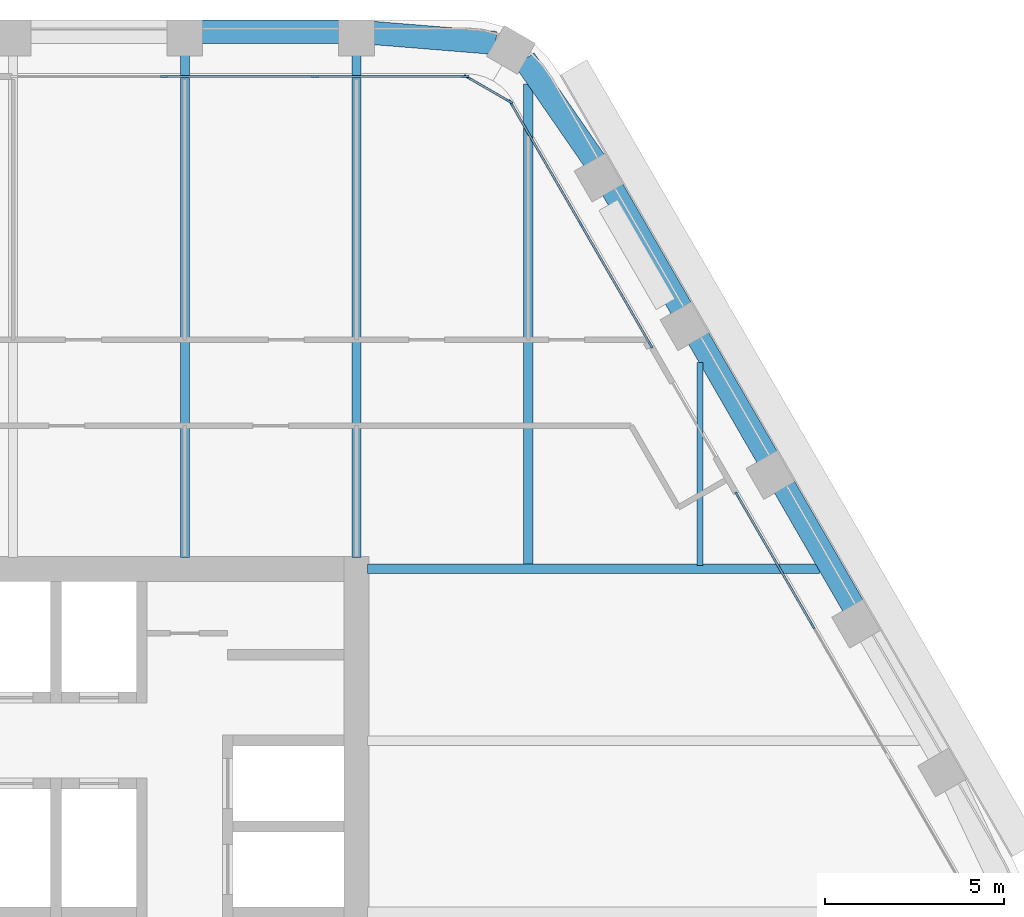
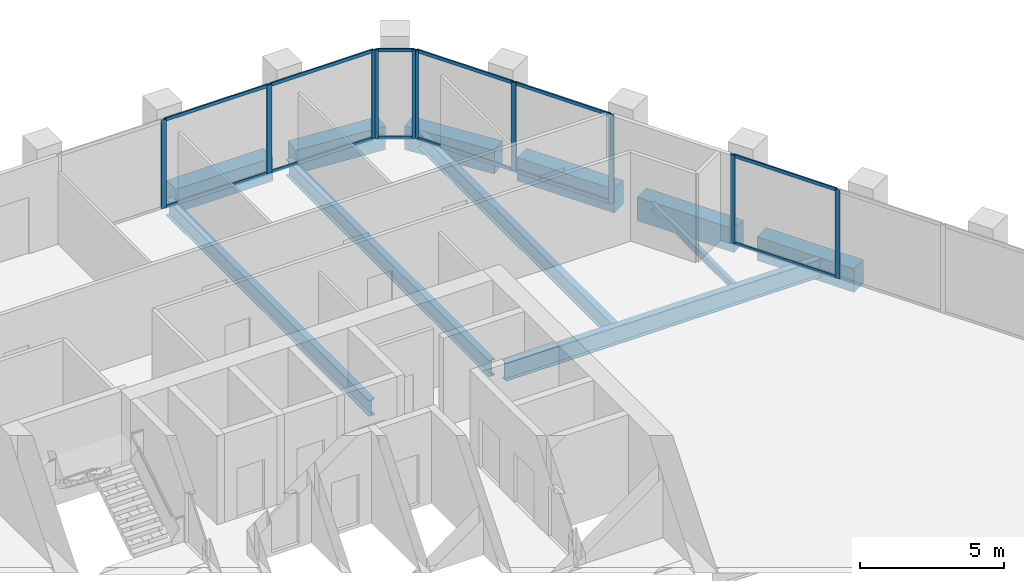
# One storey, part 6 of 15: 22 members, 11 beams, 4 elements without a shape of their own.
"""IFC4 building model written with IfcOpenShell, lengths in metres."""

from ifc_helpers import new_model, si_unit, direction, frame, origin, origin_2d, place, context, subcontext, project, spatial, rectangle, i_section, extrude, material, material_profile, profile_set, type_object, element, aggregate, save


model = new_model("IFC4")

# Units and contexts
model_context = context("Model", 3, precision=1e-05, world=origin(), true_north=direction((0.0, 1.0)))
body_context = subcontext(model_context, "Body", "Model", "MODEL_VIEW")
ifc_project = project(units=[si_unit("LENGTHUNIT", "METRE"), si_unit("AREAUNIT", "SQUARE_METRE"), si_unit("VOLUMEUNIT", "CUBIC_METRE"), si_unit("PLANEANGLEUNIT", "RADIAN"), si_unit("MASSUNIT", "GRAM", prefix="KILO")], contexts=[model_context])

# Site, building, storey
site_placement = place(None, origin())
site = spatial("IfcSite", under=ifc_project, at=site_placement, CompositionType="ELEMENT")
building_placement = place(site_placement, origin())
building = spatial("IfcBuilding", under=site, at=building_placement, Name="Kolab Exchange Tower", CompositionType="ELEMENT")
storey_placement = place(building_placement, frame((0.0, 0.0, 201.199951171875)))
storey = spatial("IfcBuildingStorey", under=building, at=storey_placement, Name="L43", CompositionType="ELEMENT", Elevation=201.199951171875)

# Beams
ifc_material_1 = material(Name="Steel S355", Category="steel")
ifc_material_profile_1 = material_profile(ifc_material_1, i_section(OverallWidth=0.1650390625, OverallDepth=0.31005859375, WebThickness=0.005859375, FlangeThickness=0.009765625, at=origin_2d()), Name="W310X39")
ifc_profile_set_1 = profile_set([ifc_material_profile_1], Name="Steel S355")
beam_type_1 = type_object("IfcBeamType", Name="FLOOR BEAM W310X39", PredefinedType="BEAM", material=ifc_profile_set_1)
beam_1_placement = place(storey_placement, frame((19.199951171875, 9.693603515625, -0.304931640625), z_axis=(0.0, 1.0, 0.0), x_axis=(-1.0, 0.0, 0.0)))
element("IfcBeam", 1, at=beam_1_placement, inside=storey, type_object=beam_type_1, Name="beam/L43/fr/023", PredefinedType="BEAM", context=body_context, shape_type="SweptSolid", body=[
    extrude(i_section(OverallWidth=0.1650390625, OverallDepth=0.31005859375, WebThickness=0.005859375, FlangeThickness=0.009765625, at=origin_2d()), origin(), (0.0, 0.0, 1.0), 5.674072265625),
])
ifc_material_profile_2 = material_profile(ifc_material_1, i_section(OverallWidth=0.25390625, OverallDepth=0.68408203125, WebThickness=0.012451171875, FlangeThickness=0.018798828125, at=origin_2d()), Name="W690X140")
ifc_profile_set_2 = profile_set([ifc_material_profile_2], Name="Steel S355")
beam_type_2 = type_object("IfcBeamType", Name="FLOOR BEAM W690X140", PredefinedType="BEAM", material=ifc_profile_set_2)
for number, where, z_axis, x_axis, name in (
    (2, (4.800048828125, 9.909912109375, -0.491943359375), (0.0, 1.0, 0.0), (-1.0, 0.0, 0.0), "beam/L43/fr/014"),
    (3, (9.60009765625, 9.909912109375, -0.491943359375), (0.0, 1.0, 0.0), (-1.0, 0.0, 0.0), "beam/L43/fr/016"),
):
    element("IfcBeam", number, at=place(storey_placement, frame(where, z_axis=z_axis, x_axis=x_axis)), inside=storey, type_object=beam_type_2, Name=name, PredefinedType="BEAM", context=body_context, shape_type="SweptSolid", body=[
        extrude(i_section(OverallWidth=0.25390625, OverallDepth=0.68408203125, WebThickness=0.012451171875, FlangeThickness=0.018798828125, at=origin_2d()), origin(), (0.0, 0.0, 1.0), 14.071533203125),
    ])
beam_2_placement = place(storey_placement, frame((14.39990234375, 9.693603515625, -0.491943359375), z_axis=(0.0, 1.0, 0.0), x_axis=(-1.0, 0.0, 0.0)))
element("IfcBeam", 4, at=beam_2_placement, inside=storey, type_object=beam_type_2, Name="beam/L43/fr/021", PredefinedType="BEAM", context=body_context, shape_type="SweptSolid", body=[
    extrude(i_section(OverallWidth=0.25390625, OverallDepth=0.68408203125, WebThickness=0.012451171875, FlangeThickness=0.018798828125, at=origin_2d()), origin(), (0.0, 0.0, 1.0), 13.462158203125),
])
ifc_material_profile_3 = material_profile(ifc_material_1, i_section(OverallWidth=0.26708984375, OverallDepth=0.761962890625, WebThickness=0.014404296875, FlangeThickness=0.021484375, at=origin_2d()), Name="W760X173")
ifc_profile_set_3 = profile_set([ifc_material_profile_3], Name="Steel S355")
beam_type_3 = type_object("IfcBeamType", Name="FLOOR GIRDER W760X173", PredefinedType="BEAM", material=ifc_profile_set_3)
beam_3_placement = place(storey_placement, frame((9.909912109375, 9.60009765625, -0.531005859375), z_axis=(1.0, 0.0, 0.0), x_axis=(0.0, 1.0, 0.0)))
element("IfcBeam", 5, at=beam_3_placement, inside=storey, type_object=beam_type_3, Name="beam/L43/gd/003", PredefinedType="BEAM", context=body_context, shape_type="SweptSolid", body=[
    extrude(i_section(OverallWidth=0.26708984375, OverallDepth=0.761962890625, WebThickness=0.014404296875, FlangeThickness=0.021484375, at=origin_2d()), origin(), (0.0, 0.0, 1.0), 12.636962890625),
])
ifc_material_2 = material(Name="Concrete C60/75", Category="concrete")
ifc_material_profile_4 = material_profile(ifc_material_2, rectangle(XDim=0.64990234375, YDim=1.0, at=origin_2d()), Name="RC650X1000")
ifc_profile_set_4 = profile_set([ifc_material_profile_4], Name="Concrete C60/75")
beam_type_4 = type_object("IfcBeamType", Name="SPANDREL BEAM 650X1000 C60/75", PredefinedType="BEAM", material=ifc_profile_set_4)
beam_4_placement = place(storey_placement, frame((5.260009765625, 24.616455078125, -0.64990234375), z_axis=(1.0, 0.0, 0.0), x_axis=(0.0, 1.0, 0.0)))
element("IfcBeam", 6, at=beam_4_placement, inside=storey, type_object=beam_type_4, Name="beam/L43/sp/F1-05", PredefinedType="BEAM", context=body_context, shape_type="SweptSolid", body=[
    extrude(rectangle(XDim=0.64990234375, YDim=1.0, at=origin_2d()), origin(), (0.0, 0.0, 1.0), 3.8798828125),
])
for number, where, z_axis, x_axis, name in (
    (7, (10.06005859375, 24.5791015625, -0.64990234375), (0.996708497182, -0.081068931445, 0.0), (0.081068931445, 0.996708497182, 0.0), "beam/L43/sp/F1-06"),
    (8, (14.29736328125, 23.8359375, -0.64990234375), (0.568572281073, -0.822633309073, 0.0), (0.822633309073, 0.568572281073, 0.0), "beam/L43/sp/F2-01"),
):
    element("IfcBeam", number, at=place(storey_placement, frame(where, z_axis=z_axis, x_axis=x_axis)), inside=storey, type_object=beam_type_4, Name=name, PredefinedType="BEAM", context=body_context, shape_type="SweptSolid", body=[
        extrude(rectangle(XDim=0.64990234375, YDim=1.0, at=origin_2d()), origin(), (0.0, 0.0, 1.0), 3.445068359375),
    ])
beam_5_placement = place(storey_placement, frame((16.74853515625, 20.2236328125, -0.64990234375), z_axis=(0.499996613652, -0.866027358884, 0.0), x_axis=(0.866027358884, 0.499996613652, 0.0)))
element("IfcBeam", 9, at=beam_5_placement, inside=storey, type_object=beam_type_4, Name="beam/L43/sp/F2-02", PredefinedType="BEAM", context=body_context, shape_type="SweptSolid", body=[
    extrude(rectangle(XDim=0.64990234375, YDim=1.0, at=origin_2d()), origin(), (0.0, 0.0, 1.0), 3.8798828125),
])
beam_6_placement = place(storey_placement, frame((19.1484375, 16.06689453125, -0.64990234375), z_axis=(0.50001655835, -0.866015843605, 0.0), x_axis=(0.866015843605, 0.50001655835, 0.0)))
element("IfcBeam", 10, at=beam_6_placement, inside=storey, type_object=beam_type_4, Name="beam/L43/sp/F2-03", PredefinedType="BEAM", context=body_context, shape_type="SweptSolid", body=[
    extrude(rectangle(XDim=0.64990234375, YDim=1.0, at=origin_2d()), origin(), (0.0, 0.0, 1.0), 3.880126953125),
])
beam_7_placement = place(storey_placement, frame((21.548583984375, 11.909912109375, -0.64990234375), z_axis=(0.499996613652, -0.866027358884, 0.0), x_axis=(0.866027358884, 0.499996613652, 0.0)))
element("IfcBeam", 11, at=beam_7_placement, inside=storey, type_object=beam_type_4, Name="beam/L43/sp/F2-04", PredefinedType="BEAM", context=body_context, shape_type="SweptSolid", body=[
    extrude(rectangle(XDim=0.64990234375, YDim=1.0, at=origin_2d()), origin(), (0.0, 0.0, 1.0), 3.8798828125),
])

# Curtain wall, members
ifc_material_3 = material(Name="Aluminium EN AW-6063 T6", Category="aluminium")
curtain_wall_type = type_object("IfcCurtainWallType", Name="UNITISED UPPER MID ZONE CURTAIN WALL", PredefinedType="NOTDEFINED", material=ifc_material_3)
curtain_wall_1_placement = place(storey_placement, origin())
curtain_wall_1 = element("IfcCurtainWall", 12, at=curtain_wall_1_placement, inside=storey, type_object=curtain_wall_type, Name="cw/L43/F1-2", PredefinedType="NOTDEFINED")
ifc_material_profile_5 = material_profile(ifc_material_3, rectangle(XDim=0.06005859375, YDim=0.199951171875, at=origin_2d()), Name="RECT 60X200")
ifc_profile_set_5 = profile_set([ifc_material_profile_5], Name="Aluminium EN AW-6063 T6")
member_type_1 = type_object("IfcMemberType", Name="UNITISED UPPER MID ZONE MULLION 60 X 200", PredefinedType="MULLION", material=ifc_profile_set_5)
member_1_placement = place(storey_placement, frame((4.22265625, 23.361572265625, 0.0), z_axis=(0.0, 0.0, 1.0), x_axis=(0.0, 1.0, 0.0)))
member_1 = element("IfcMember", 13, at=member_1_placement, type_object=member_type_1, Name="CW3 mullion 2", PredefinedType="MULLION", context=body_context, shape_type="SweptSolid", body=[
    extrude(rectangle(XDim=0.06005859375, YDim=0.199951171875, at=origin_2d()), origin(), (0.0, 0.0, 1.0), 3.75),
])
member_2_placement = place(storey_placement, frame((8.4453125, 23.361572265625, 0.0), z_axis=(0.0, 0.0, 1.0), x_axis=(0.0, 1.0, 0.0)))
member_2 = element("IfcMember", 14, at=member_2_placement, type_object=member_type_1, Name="CW3 mullion 3", PredefinedType="MULLION", context=body_context, shape_type="SweptSolid", body=[
    extrude(rectangle(XDim=0.06005859375, YDim=0.199951171875, at=origin_2d()), origin(), (0.0, 0.0, 1.0), 3.75),
])
member_3_placement = place(storey_placement, frame((12.637939453125, 23.361572265625, 0.0), z_axis=(0.0, 0.0, 1.0), x_axis=(0.0, 1.0, 0.0)))
member_3 = element("IfcMember", 15, at=member_3_placement, type_object=member_type_1, Name="CW3 mullion 4", PredefinedType="MULLION", context=body_context, shape_type="SweptSolid", body=[
    extrude(rectangle(XDim=0.06005859375, YDim=0.199951171875, at=origin_2d()), origin(), (0.0, 0.0, 1.0), 3.75),
])

curtain_wall_2_placement = place(storey_placement, origin())
curtain_wall_2 = element("IfcCurtainWall", 16, at=curtain_wall_2_placement, inside=storey, type_object=curtain_wall_type, Name="cw/L43/F2-1", PredefinedType="NOTDEFINED")
member_4_placement = place(storey_placement, frame((13.91259765625, 22.62548828125, 0.0), z_axis=(0.0, 0.0, 1.0), x_axis=(0.866025385493, 0.500000031681, 0.0)))
member_4 = element("IfcMember", 17, at=member_4_placement, type_object=member_type_1, Name="CW3 mullion 1", PredefinedType="MULLION", context=body_context, shape_type="SweptSolid", body=[
    extrude(rectangle(XDim=0.06005859375, YDim=0.199951171875, at=origin_2d()), origin(), (0.0, 0.0, 1.0), 3.75),
])
member_5_placement = place(storey_placement, frame((15.86474609375, 19.24462890625, 0.0), z_axis=(0.0, 0.0, 1.0), x_axis=(0.866025385493, 0.500000031681, 0.0)))
member_5 = element("IfcMember", 18, at=member_5_placement, type_object=member_type_1, Name="CW3 mullion 2", PredefinedType="MULLION", context=body_context, shape_type="SweptSolid", body=[
    extrude(rectangle(XDim=0.06005859375, YDim=0.199951171875, at=origin_2d()), origin(), (0.0, 0.0, 1.0), 3.75),
])
member_6_placement = place(storey_placement, frame((17.816650390625, 15.86376953125, 0.0), z_axis=(0.0, 0.0, 1.0), x_axis=(0.866025385493, 0.500000031681, 0.0)))
member_6 = element("IfcMember", 19, at=member_6_placement, type_object=member_type_1, Name="CW3 mullion 3", PredefinedType="MULLION", context=body_context, shape_type="SweptSolid", body=[
    extrude(rectangle(XDim=0.06005859375, YDim=0.199951171875, at=origin_2d()), origin(), (0.0, 0.0, 1.0), 3.75),
])

curtain_wall_3_placement = place(storey_placement, origin())
curtain_wall_3 = element("IfcCurtainWall", 20, at=curtain_wall_3_placement, inside=storey, type_object=curtain_wall_type, Name="cw/L43/F2-2", PredefinedType="NOTDEFINED")
member_7_placement = place(storey_placement, frame((20.24658203125, 11.65478515625, 0.0), z_axis=(0.0, 0.0, 1.0), x_axis=(0.866025427826, 0.499999958358, 0.0)))
member_7 = element("IfcMember", 21, at=member_7_placement, type_object=member_type_1, Name="CW3 mullion 1", PredefinedType="MULLION", context=body_context, shape_type="SweptSolid", body=[
    extrude(rectangle(XDim=0.06005859375, YDim=0.199951171875, at=origin_2d()), origin(), (0.0, 0.0, 1.0), 3.75),
])
member_8_placement = place(storey_placement, frame((22.343017578125, 8.02392578125, 0.0), z_axis=(0.0, 0.0, 1.0), x_axis=(0.866025427826, 0.499999958358, 0.0)))
member_8 = element("IfcMember", 22, at=member_8_placement, type_object=member_type_1, Name="CW3 mullion 2", PredefinedType="MULLION", context=body_context, shape_type="SweptSolid", body=[
    extrude(rectangle(XDim=0.06005859375, YDim=0.199951171875, at=origin_2d()), origin(), (0.0, 0.0, 1.0), 3.75),
])

curtain_wall_4_placement = place(storey_placement, origin())
curtain_wall_4 = element("IfcCurtainWall", 23, at=curtain_wall_4_placement, inside=storey, type_object=curtain_wall_type, Name="cw/L43/F1F2-corner", PredefinedType="NOTDEFINED")
member_9_placement = place(storey_placement, frame((12.69384765625, 23.346435546875, 0.0), z_axis=(0.0, 0.0, 1.0), x_axis=(0.50000002237, 0.866025390869, 0.0)))
member_9 = element("IfcMember", 24, at=member_9_placement, type_object=member_type_1, Name="CW3 mullion 1", PredefinedType="MULLION", context=body_context, shape_type="SweptSolid", body=[
    extrude(rectangle(XDim=0.06005859375, YDim=0.199951171875, at=origin_2d()), origin(), (0.0, 0.0, 1.0), 3.75),
])
member_10_placement = place(storey_placement, frame((13.871826171875, 22.66650390625, 0.0), z_axis=(0.0, 0.0, 1.0), x_axis=(0.50000002237, 0.866025390869, 0.0)))
member_10 = element("IfcMember", 25, at=member_10_placement, type_object=member_type_1, Name="CW3 mullion 2", PredefinedType="MULLION", context=body_context, shape_type="SweptSolid", body=[
    extrude(rectangle(XDim=0.06005859375, YDim=0.199951171875, at=origin_2d()), origin(), (0.0, 0.0, 1.0), 3.75),
])

# Member
ifc_material_profile_6 = material_profile(ifc_material_3, rectangle(XDim=0.06005859375, YDim=0.139892578125, at=origin_2d()), Name="RECT 60X140")
ifc_profile_set_6 = profile_set([ifc_material_profile_6], Name="Aluminium EN AW-6063 T6")
member_type_2 = type_object("IfcMemberType", Name="UNITISED UPPER MID ZONE TRANSOM 60 X 140", PredefinedType="USERDEFINED", material=ifc_profile_set_6)
member_11_placement = place(storey_placement, frame((4.252685546875, 23.361572265625, 0.030029296875), z_axis=(1.0, 0.0, 0.0), x_axis=(0.0, 1.0, 0.0)))
member_11 = element("IfcMember", 26, at=member_11_placement, type_object=member_type_2, Name="CW3 transom 2.1", ObjectType="TRANSOM", PredefinedType="USERDEFINED", context=body_context, shape_type="SweptSolid", body=[
    extrude(rectangle(XDim=0.06005859375, YDim=0.139892578125, at=origin_2d()), origin(), (0.0, 0.0, 1.0), 4.16259765625),
])

member_12_placement = place(storey_placement, frame((4.252685546875, 23.361572265625, 3.719970703125), z_axis=(1.0, 0.0, 0.0), x_axis=(0.0, 1.0, 0.0)))
member_12 = element("IfcMember", 27, at=member_12_placement, type_object=member_type_2, Name="CW3 transom 2.2", ObjectType="TRANSOM", PredefinedType="USERDEFINED", context=body_context, shape_type="SweptSolid", body=[
    extrude(rectangle(XDim=0.06005859375, YDim=0.139892578125, at=origin_2d()), origin(), (0.0, 0.0, 1.0), 4.16259765625),
])

member_13_placement = place(storey_placement, frame((8.475341796875, 23.361572265625, 0.030029296875), z_axis=(1.0, 0.0, 0.0), x_axis=(0.0, 1.0, 0.0)))
member_13 = element("IfcMember", 28, at=member_13_placement, type_object=member_type_2, Name="CW3 transom 3.1", ObjectType="TRANSOM", PredefinedType="USERDEFINED", context=body_context, shape_type="SweptSolid", body=[
    extrude(rectangle(XDim=0.06005859375, YDim=0.139892578125, at=origin_2d()), origin(), (0.0, 0.0, 1.0), 4.132568359375),
])

member_14_placement = place(storey_placement, frame((8.475341796875, 23.361572265625, 3.719970703125), z_axis=(1.0, 0.0, 0.0), x_axis=(0.0, 1.0, 0.0)))
member_14 = element("IfcMember", 29, at=member_14_placement, type_object=member_type_2, Name="CW3 transom 3.2", ObjectType="TRANSOM", PredefinedType="USERDEFINED", context=body_context, shape_type="SweptSolid", body=[
    extrude(rectangle(XDim=0.06005859375, YDim=0.139892578125, at=origin_2d()), origin(), (0.0, 0.0, 1.0), 4.132568359375),
])

aggregate(curtain_wall_1, [member_1, member_2, member_3, member_11, member_12, member_13, member_14])

member_15_placement = place(storey_placement, frame((13.927734375, 22.599609375, 0.030029296875), z_axis=(0.499964356602, -0.866045981532, 0.0), x_axis=(0.866045981532, 0.499964356602, 0.0)))
member_15 = element("IfcMember", 30, at=member_15_placement, type_object=member_type_2, Name="CW3 transom 1.1", ObjectType="TRANSOM", PredefinedType="USERDEFINED", context=body_context, shape_type="SweptSolid", body=[
    extrude(rectangle(XDim=0.06005859375, YDim=0.139892578125, at=origin_2d()), origin(), (0.0, 0.0, 1.0), 3.843994140625),
])

member_16_placement = place(storey_placement, frame((13.927734375, 22.599609375, 3.719970703125), z_axis=(0.499964356602, -0.866045981532, 0.0), x_axis=(0.866045981532, 0.499964356602, 0.0)))
member_16 = element("IfcMember", 31, at=member_16_placement, type_object=member_type_2, Name="CW3 transom 1.2", ObjectType="TRANSOM", PredefinedType="USERDEFINED", context=body_context, shape_type="SweptSolid", body=[
    extrude(rectangle(XDim=0.06005859375, YDim=0.139892578125, at=origin_2d()), origin(), (0.0, 0.0, 1.0), 3.843994140625),
])

member_17_placement = place(storey_placement, frame((15.879638671875, 19.21875, 0.030029296875), z_axis=(0.500011990396, -0.866018481016, 0.0), x_axis=(0.866018481016, 0.500011990396, 0.0)))
member_17 = element("IfcMember", 32, at=member_17_placement, type_object=member_type_2, Name="CW3 transom 2.1", ObjectType="TRANSOM", PredefinedType="USERDEFINED", context=body_context, shape_type="SweptSolid", body=[
    extrude(rectangle(XDim=0.06005859375, YDim=0.139892578125, at=origin_2d()), origin(), (0.0, 0.0, 1.0), 3.84423828125),
])

member_18_placement = place(storey_placement, frame((15.879638671875, 19.21875, 3.719970703125), z_axis=(0.500011990396, -0.866018481016, 0.0), x_axis=(0.866018481016, 0.500011990396, 0.0)))
member_18 = element("IfcMember", 33, at=member_18_placement, type_object=member_type_2, Name="CW3 transom 2.2", ObjectType="TRANSOM", PredefinedType="USERDEFINED", context=body_context, shape_type="SweptSolid", body=[
    extrude(rectangle(XDim=0.06005859375, YDim=0.139892578125, at=origin_2d()), origin(), (0.0, 0.0, 1.0), 3.84423828125),
])

aggregate(curtain_wall_2, [member_4, member_5, member_6, member_15, member_16, member_17, member_18])

member_19_placement = place(storey_placement, frame((20.26171875, 11.62890625, 0.030029296875), z_axis=(0.500001996123, -0.866024251319, 0.0), x_axis=(0.866024251319, 0.500001996123, 0.0)))
member_19 = element("IfcMember", 34, at=member_19_placement, type_object=member_type_2, Name="CW3 transom 1.1", ObjectType="TRANSOM", PredefinedType="USERDEFINED", context=body_context, shape_type="SweptSolid", body=[
    extrude(rectangle(XDim=0.06005859375, YDim=0.139892578125, at=origin_2d()), origin(), (0.0, 0.0, 1.0), 4.1328125),
])

member_20_placement = place(storey_placement, frame((20.26171875, 11.62890625, 3.719970703125), z_axis=(0.500001996123, -0.866024251319, 0.0), x_axis=(0.866024251319, 0.500001996123, 0.0)))
member_20 = element("IfcMember", 35, at=member_20_placement, type_object=member_type_2, Name="CW3 transom 1.2", ObjectType="TRANSOM", PredefinedType="USERDEFINED", context=body_context, shape_type="SweptSolid", body=[
    extrude(rectangle(XDim=0.06005859375, YDim=0.139892578125, at=origin_2d()), origin(), (0.0, 0.0, 1.0), 4.1328125),
])

aggregate(curtain_wall_3, [member_7, member_8, member_19, member_20])

member_21_placement = place(storey_placement, frame((12.719970703125, 23.33154296875, 0.030029296875), z_axis=(0.86603858612, -0.49997716683, 0.0), x_axis=(0.49997716683, 0.86603858612, 0.0)))
member_21 = element("IfcMember", 36, at=member_21_placement, type_object=member_type_2, Name="CW3 transom 1.1", ObjectType="TRANSOM", PredefinedType="USERDEFINED", context=body_context, shape_type="SweptSolid", body=[
    extrude(rectangle(XDim=0.06005859375, YDim=0.139892578125, at=origin_2d()), origin(), (0.0, 0.0, 1.0), 1.2998046875),
])

member_22_placement = place(storey_placement, frame((12.719970703125, 23.33154296875, 3.719970703125), z_axis=(0.86603858612, -0.49997716683, 0.0), x_axis=(0.49997716683, 0.86603858612, 0.0)))
member_22 = element("IfcMember", 37, at=member_22_placement, type_object=member_type_2, Name="CW3 transom 1.2", ObjectType="TRANSOM", PredefinedType="USERDEFINED", context=body_context, shape_type="SweptSolid", body=[
    extrude(rectangle(XDim=0.06005859375, YDim=0.139892578125, at=origin_2d()), origin(), (0.0, 0.0, 1.0), 1.2998046875),
])

aggregate(curtain_wall_4, [member_9, member_10, member_21, member_22])

save(model, "model.ifc")
